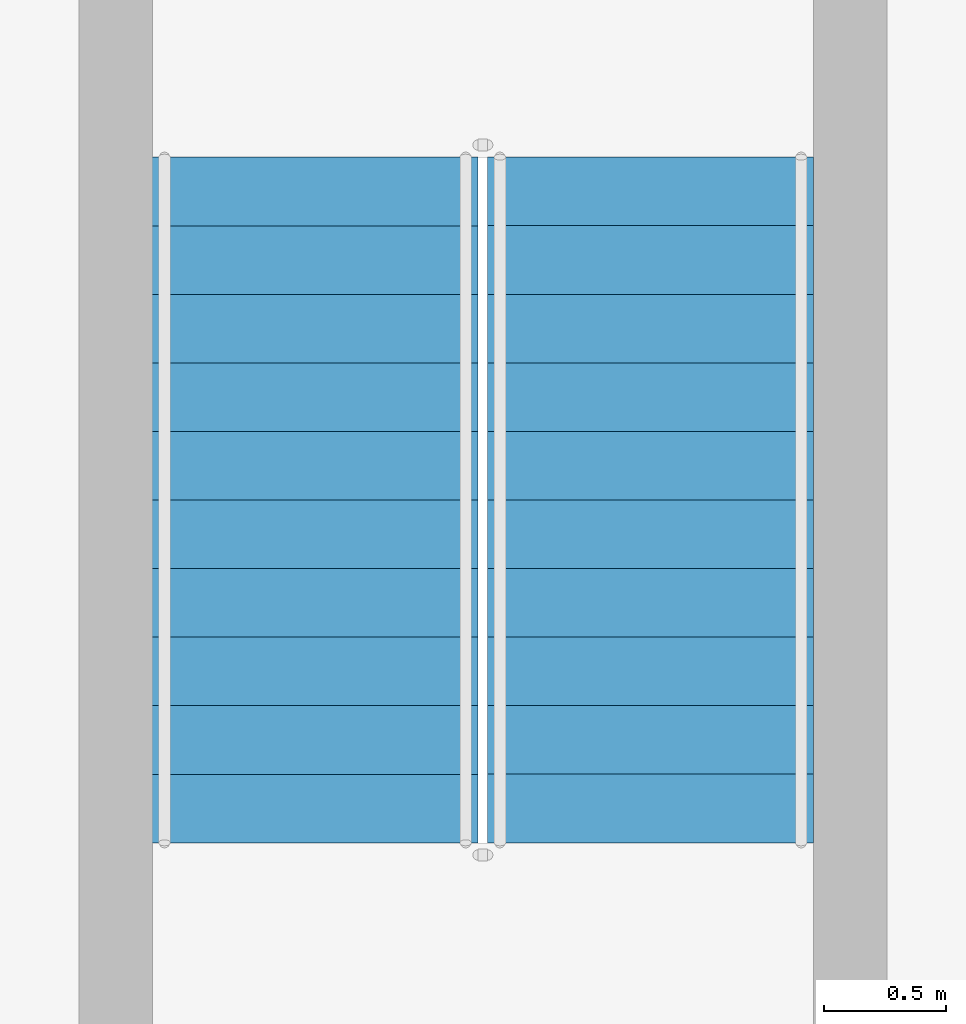
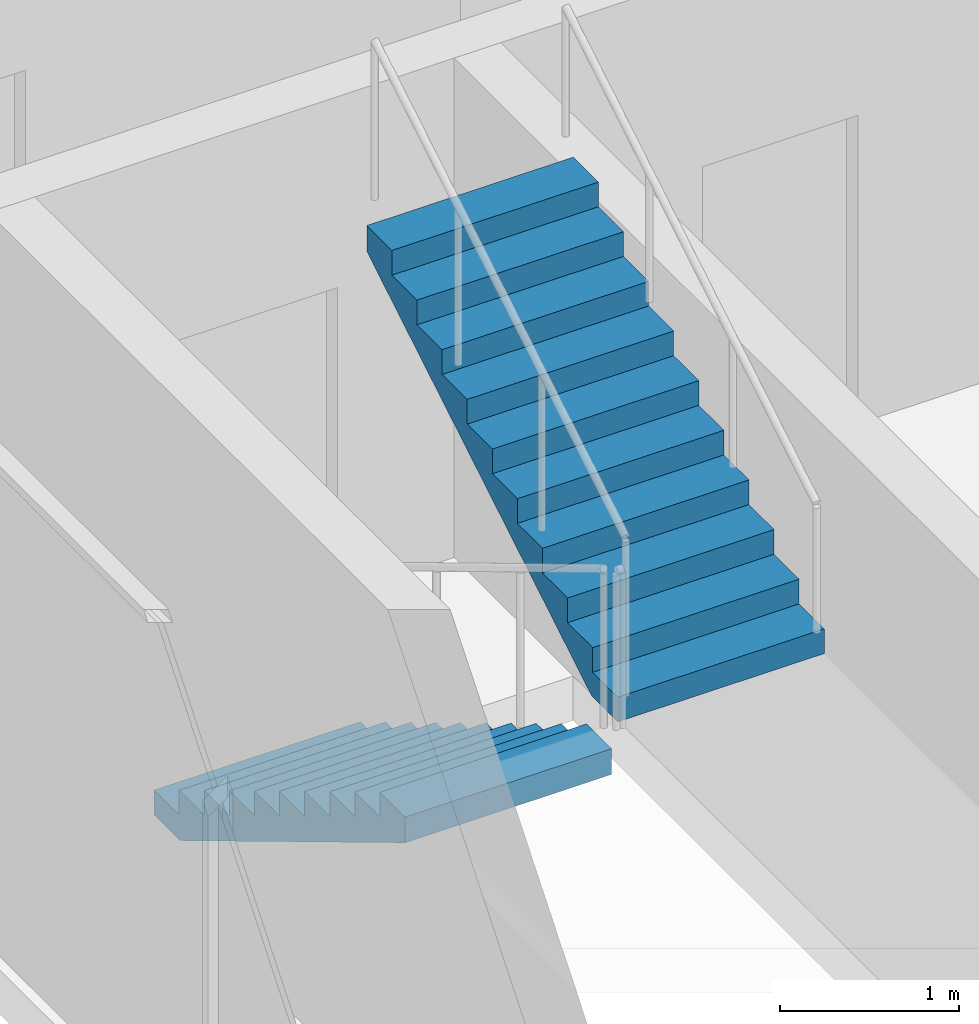
# One storey, part 15 of 21: 2 stair flights, 1 element without a shape of its own.
"""IFC4 building model written with IfcOpenShell, lengths in metres."""

from ifc_helpers import new_model, si_unit, direction, frame, origin, place, context, subcontext, project, spatial, triangles, source, transform, mapped, material, type_object, element, aggregate, save


model = new_model("IFC4")

# Units and contexts
model_context = context("Model", 3, precision=1e-05, world=origin(), true_north=direction((0.0, 1.0)))
body_context = subcontext(model_context, "Body", "Model", "MODEL_VIEW")
ifc_project = project(units=[si_unit("LENGTHUNIT", "METRE"), si_unit("AREAUNIT", "SQUARE_METRE"), si_unit("VOLUMEUNIT", "CUBIC_METRE"), si_unit("PLANEANGLEUNIT", "RADIAN"), si_unit("MASSUNIT", "GRAM", prefix="KILO")], contexts=[model_context])

# Site, building, storey
site_placement = place(None, origin())
site = spatial("IfcSite", under=ifc_project, at=site_placement, CompositionType="ELEMENT")
building_placement = place(site_placement, origin())
building = spatial("IfcBuilding", under=site, at=building_placement, Name="Ogive Portal Towers", CompositionType="ELEMENT")
storey_placement = place(building_placement, frame((0.0, 0.0, 157.0)))
storey = spatial("IfcBuildingStorey", under=building, at=storey_placement, Name="L38", CompositionType="ELEMENT", Elevation=157.0)

# Stair, stair flights
ifc_material = material(Name="Concrete C40/50", Category="concrete")
stair_type = type_object("IfcStairType", Name="INT-STAIR", PredefinedType="HALF_TURN_STAIR", material=ifc_material)
stair_placement = place(storey_placement, origin())
stair = element("IfcStair", 1, at=stair_placement, inside=storey, type_object=stair_type, Name="L38 Exit Stair ST-A4", PredefinedType="HALF_TURN_STAIR")
stair_flight_type = type_object("IfcStairFlightType", Name="INT-FLIGHT", PredefinedType="STRAIGHT", material=ifc_material)
shared_shape = source(origin(), body_context, "Body", "Tessellation", [
    triangles([(0.0, -0.6650390625, 0.0), (0.0, -0.384765625, 0.0), (0.0, -0.197021484375, 0.0), (0.0, -0.0830078125, 0.0), (0.0, -0.024658203125, 0.0), (0.0, -0.003173828125, 0.0), (0.0, 0.0, 0.0), (0.0, 0.003173828125, 0.0), (0.0, 0.024658203125, 0.0), (0.0, 0.0830078125, 0.0), (0.0, 0.197021484375, 0.0), (0.0, 0.384765625, 0.0), (0.0, 0.6650390625, 0.0), (0.0, -0.6650390625, 0.168212890625), (0.0, -0.384765625, 0.168212890625), (0.0, -0.197021484375, 0.168212890625), (0.0, -0.0830078125, 0.168212890625), (0.0, -0.024658203125, 0.168212890625), (0.0, -0.003173828125, 0.168212890625), (0.0, 0.0, 0.168212890625), (0.0, 0.003173828125, 0.168212890625), (0.0, 0.024658203125, 0.168212890625), (0.0, 0.0830078125, 0.168212890625), (0.0, 0.197021484375, 0.168212890625), (0.0, 0.384765625, 0.168212890625), (0.0, 0.6650390625, 0.168212890625), (0.280029296875, -0.6650390625, 0.168212890625), (0.280029296875, -0.384765625, 0.168212890625), (0.280029296875, -0.197021484375, 0.168212890625), (0.280029296875, -0.0830078125, 0.168212890625), (0.280029296875, -0.024658203125, 0.168212890625), (0.280029296875, -0.003173828125, 0.168212890625), (0.280029296875, 0.0, 0.168212890625), (0.280029296875, 0.003173828125, 0.168212890625), (0.280029296875, 0.024658203125, 0.168212890625), (0.280029296875, 0.0830078125, 0.168212890625), (0.280029296875, 0.197021484375, 0.168212890625), (0.280029296875, 0.384765625, 0.168212890625), (0.280029296875, 0.6650390625, 0.168212890625), (0.280029296875, -0.6650390625, 0.33642578125), (0.280029296875, -0.384765625, 0.33642578125), (0.280029296875, -0.197021484375, 0.33642578125), (0.280029296875, -0.0830078125, 0.33642578125), (0.280029296875, -0.024658203125, 0.33642578125), (0.280029296875, -0.003173828125, 0.33642578125), (0.280029296875, 0.0, 0.33642578125), (0.280029296875, 0.003173828125, 0.33642578125), (0.280029296875, 0.024658203125, 0.33642578125), (0.280029296875, 0.0830078125, 0.33642578125), (0.280029296875, 0.197021484375, 0.33642578125), (0.280029296875, 0.384765625, 0.33642578125), (0.280029296875, 0.6650390625, 0.33642578125), (0.56005859375, -0.6650390625, 0.33642578125), (0.56005859375, -0.384765625, 0.33642578125), (0.56005859375, -0.197021484375, 0.33642578125), (0.56005859375, -0.0830078125, 0.33642578125), (0.56005859375, -0.024658203125, 0.33642578125), (0.56005859375, -0.003173828125, 0.33642578125), (0.56005859375, 0.0, 0.33642578125), (0.56005859375, 0.003173828125, 0.33642578125), (0.56005859375, 0.024658203125, 0.33642578125), (0.56005859375, 0.0830078125, 0.33642578125), (0.56005859375, 0.197021484375, 0.33642578125), (0.56005859375, 0.384765625, 0.33642578125), (0.56005859375, 0.6650390625, 0.33642578125), (0.56005859375, -0.6650390625, 0.504638671875), (0.56005859375, -0.384765625, 0.504638671875), (0.56005859375, -0.197021484375, 0.504638671875), (0.56005859375, -0.0830078125, 0.504638671875), (0.56005859375, -0.024658203125, 0.504638671875), (0.56005859375, -0.003173828125, 0.504638671875), (0.56005859375, 0.0, 0.504638671875), (0.56005859375, 0.003173828125, 0.504638671875), (0.56005859375, 0.024658203125, 0.504638671875), (0.56005859375, 0.0830078125, 0.504638671875), (0.56005859375, 0.197021484375, 0.504638671875), (0.56005859375, 0.384765625, 0.504638671875), (0.56005859375, 0.6650390625, 0.504638671875), (0.840087890625, -0.6650390625, 0.504638671875), (0.840087890625, -0.384765625, 0.504638671875), (0.840087890625, -0.197021484375, 0.504638671875), (0.840087890625, -0.0830078125, 0.504638671875), (0.840087890625, -0.024658203125, 0.504638671875), (0.840087890625, -0.003173828125, 0.504638671875), (0.840087890625, 0.0, 0.504638671875), (0.840087890625, 0.003173828125, 0.504638671875), (0.840087890625, 0.024658203125, 0.504638671875), (0.840087890625, 0.0830078125, 0.504638671875), (0.840087890625, 0.197021484375, 0.504638671875), (0.840087890625, 0.384765625, 0.504638671875), (0.840087890625, 0.6650390625, 0.504638671875), (0.840087890625, -0.6650390625, 0.672607421875), (0.840087890625, -0.384765625, 0.672607421875), (0.840087890625, -0.197021484375, 0.672607421875), (0.840087890625, -0.0830078125, 0.672607421875), (0.840087890625, -0.024658203125, 0.672607421875), (0.840087890625, -0.003173828125, 0.672607421875), (0.840087890625, 0.0, 0.672607421875), (0.840087890625, 0.003173828125, 0.672607421875), (0.840087890625, 0.024658203125, 0.672607421875), (0.840087890625, 0.0830078125, 0.672607421875), (0.840087890625, 0.197021484375, 0.672607421875), (0.840087890625, 0.384765625, 0.672607421875), (0.840087890625, 0.6650390625, 0.672607421875), (1.1201171875, -0.6650390625, 0.672607421875), (1.1201171875, -0.384765625, 0.672607421875), (1.1201171875, -0.197021484375, 0.672607421875), (1.1201171875, -0.0830078125, 0.672607421875), (1.1201171875, -0.024658203125, 0.672607421875), (1.1201171875, -0.003173828125, 0.672607421875), (1.1201171875, 0.0, 0.672607421875), (1.1201171875, 0.003173828125, 0.672607421875), (1.1201171875, 0.024658203125, 0.672607421875), (1.1201171875, 0.0830078125, 0.672607421875), (1.1201171875, 0.197021484375, 0.672607421875), (1.1201171875, 0.384765625, 0.672607421875), (1.1201171875, 0.6650390625, 0.672607421875), (1.1201171875, -0.6650390625, 0.8408203125), (1.1201171875, -0.384765625, 0.8408203125), (1.1201171875, -0.197021484375, 0.8408203125), (1.1201171875, -0.0830078125, 0.8408203125), (1.1201171875, -0.024658203125, 0.8408203125), (1.1201171875, -0.003173828125, 0.8408203125), (1.1201171875, 0.0, 0.8408203125), (1.1201171875, 0.003173828125, 0.8408203125), (1.1201171875, 0.024658203125, 0.8408203125), (1.1201171875, 0.0830078125, 0.8408203125), (1.1201171875, 0.197021484375, 0.8408203125), (1.1201171875, 0.384765625, 0.8408203125), (1.1201171875, 0.6650390625, 0.8408203125), (1.39990234375, -0.6650390625, 0.8408203125), (1.39990234375, -0.384765625, 0.8408203125), (1.39990234375, -0.197021484375, 0.8408203125), (1.39990234375, -0.0830078125, 0.8408203125), (1.39990234375, -0.024658203125, 0.8408203125), (1.39990234375, -0.003173828125, 0.8408203125), (1.39990234375, 0.0, 0.8408203125), (1.39990234375, 0.003173828125, 0.8408203125), (1.39990234375, 0.024658203125, 0.8408203125), (1.39990234375, 0.0830078125, 0.8408203125), (1.39990234375, 0.197021484375, 0.8408203125), (1.39990234375, 0.384765625, 0.8408203125), (1.39990234375, 0.6650390625, 0.8408203125), (1.39990234375, -0.6650390625, 1.009033203125), (1.39990234375, -0.384765625, 1.009033203125), (1.39990234375, -0.197021484375, 1.009033203125), (1.39990234375, -0.0830078125, 1.009033203125), (1.39990234375, -0.024658203125, 1.009033203125), (1.39990234375, -0.003173828125, 1.009033203125), (1.39990234375, 0.0, 1.009033203125), (1.39990234375, 0.003173828125, 1.009033203125), (1.39990234375, 0.024658203125, 1.009033203125), (1.39990234375, 0.0830078125, 1.009033203125), (1.39990234375, 0.197021484375, 1.009033203125), (1.39990234375, 0.384765625, 1.009033203125), (1.39990234375, 0.6650390625, 1.009033203125), (1.679931640625, -0.6650390625, 1.009033203125), (1.679931640625, -0.384765625, 1.009033203125), (1.679931640625, -0.197021484375, 1.009033203125), (1.679931640625, -0.0830078125, 1.009033203125), (1.679931640625, -0.024658203125, 1.009033203125), (1.679931640625, -0.003173828125, 1.009033203125), (1.679931640625, 0.0, 1.009033203125), (1.679931640625, 0.003173828125, 1.009033203125), (1.679931640625, 0.024658203125, 1.009033203125), (1.679931640625, 0.0830078125, 1.009033203125), (1.679931640625, 0.197021484375, 1.009033203125), (1.679931640625, 0.384765625, 1.009033203125), (1.679931640625, 0.6650390625, 1.009033203125), (1.679931640625, -0.6650390625, 1.17724609375), (1.679931640625, -0.384765625, 1.17724609375), (1.679931640625, -0.197021484375, 1.17724609375), (1.679931640625, -0.0830078125, 1.17724609375), (1.679931640625, -0.024658203125, 1.17724609375), (1.679931640625, -0.003173828125, 1.17724609375), (1.679931640625, 0.0, 1.17724609375), (1.679931640625, 0.003173828125, 1.17724609375), (1.679931640625, 0.024658203125, 1.17724609375), (1.679931640625, 0.0830078125, 1.17724609375), (1.679931640625, 0.197021484375, 1.17724609375), (1.679931640625, 0.384765625, 1.17724609375), (1.679931640625, 0.6650390625, 1.17724609375), (1.9599609375, -0.6650390625, 1.17724609375), (1.9599609375, -0.384765625, 1.17724609375), (1.9599609375, -0.197021484375, 1.17724609375), (1.9599609375, -0.0830078125, 1.17724609375), (1.9599609375, -0.024658203125, 1.17724609375), (1.9599609375, -0.003173828125, 1.17724609375), (1.9599609375, 0.0, 1.17724609375), (1.9599609375, 0.003173828125, 1.17724609375), (1.9599609375, 0.024658203125, 1.17724609375), (1.9599609375, 0.0830078125, 1.17724609375), (1.9599609375, 0.197021484375, 1.17724609375), (1.9599609375, 0.384765625, 1.17724609375), (1.9599609375, 0.6650390625, 1.17724609375), (1.9599609375, -0.6650390625, 1.345458984375), (1.9599609375, -0.384765625, 1.345458984375), (1.9599609375, -0.197021484375, 1.345458984375), (1.9599609375, -0.0830078125, 1.345458984375), (1.9599609375, -0.024658203125, 1.345458984375), (1.9599609375, -0.003173828125, 1.345458984375), (1.9599609375, 0.0, 1.345458984375), (1.9599609375, 0.003173828125, 1.345458984375), (1.9599609375, 0.024658203125, 1.345458984375), (1.9599609375, 0.0830078125, 1.345458984375), (1.9599609375, 0.197021484375, 1.345458984375), (1.9599609375, 0.384765625, 1.345458984375), (1.9599609375, 0.6650390625, 1.345458984375), (2.239990234375, -0.6650390625, 1.345458984375), (2.239990234375, -0.384765625, 1.345458984375), (2.239990234375, -0.197021484375, 1.345458984375), (2.239990234375, -0.0830078125, 1.345458984375), (2.239990234375, -0.024658203125, 1.345458984375), (2.239990234375, -0.003173828125, 1.345458984375), (2.239990234375, 0.0, 1.345458984375), (2.239990234375, 0.003173828125, 1.345458984375), (2.239990234375, 0.024658203125, 1.345458984375), (2.239990234375, 0.0830078125, 1.345458984375), (2.239990234375, 0.197021484375, 1.345458984375), (2.239990234375, 0.384765625, 1.345458984375), (2.239990234375, 0.6650390625, 1.345458984375), (2.239990234375, -0.6650390625, 1.513671875), (2.239990234375, -0.384765625, 1.513671875), (2.239990234375, -0.197021484375, 1.513671875), (2.239990234375, -0.0830078125, 1.513671875), (2.239990234375, -0.024658203125, 1.513671875), (2.239990234375, -0.003173828125, 1.513671875), (2.239990234375, 0.0, 1.513671875), (2.239990234375, 0.003173828125, 1.513671875), (2.239990234375, 0.024658203125, 1.513671875), (2.239990234375, 0.0830078125, 1.513671875), (2.239990234375, 0.197021484375, 1.513671875), (2.239990234375, 0.384765625, 1.513671875), (2.239990234375, 0.6650390625, 1.513671875), (2.52001953125, -0.6650390625, 1.513671875), (2.52001953125, -0.384765625, 1.513671875), (2.52001953125, -0.197021484375, 1.513671875), (2.52001953125, -0.0830078125, 1.513671875), (2.52001953125, -0.024658203125, 1.513671875), (2.52001953125, -0.003173828125, 1.513671875), (2.52001953125, 0.0, 1.513671875), (2.52001953125, 0.003173828125, 1.513671875), (2.52001953125, 0.024658203125, 1.513671875), (2.52001953125, 0.0830078125, 1.513671875), (2.52001953125, 0.197021484375, 1.513671875), (2.52001953125, 0.384765625, 1.513671875), (2.52001953125, 0.6650390625, 1.513671875), (2.52001953125, -0.6650390625, 1.681884765625), (2.52001953125, -0.384765625, 1.681884765625), (2.52001953125, -0.197021484375, 1.681884765625), (2.52001953125, -0.0830078125, 1.681884765625), (2.52001953125, -0.024658203125, 1.681884765625), (2.52001953125, -0.003173828125, 1.681884765625), (2.52001953125, 0.0, 1.681884765625), (2.52001953125, 0.003173828125, 1.681884765625), (2.52001953125, 0.024658203125, 1.681884765625), (2.52001953125, 0.0830078125, 1.681884765625), (2.52001953125, 0.197021484375, 1.681884765625), (2.52001953125, 0.384765625, 1.681884765625), (2.52001953125, 0.6650390625, 1.681884765625), (2.800048828125, -0.6650390625, 1.681884765625), (2.800048828125, -0.384765625, 1.681884765625), (2.800048828125, -0.197021484375, 1.681884765625), (2.800048828125, -0.0830078125, 1.681884765625), (2.800048828125, -0.024658203125, 1.681884765625), (2.800048828125, -0.003173828125, 1.681884765625), (2.800048828125, 0.0, 1.681884765625), (2.800048828125, 0.003173828125, 1.681884765625), (2.800048828125, 0.024658203125, 1.681884765625), (2.800048828125, 0.0830078125, 1.681884765625), (2.800048828125, 0.197021484375, 1.681884765625), (2.800048828125, 0.384765625, 1.681884765625), (2.800048828125, 0.6650390625, 1.681884765625), (2.800048828125, -0.6650390625, 1.5068359375), (2.800048828125, -0.384765625, 1.5068359375), (2.800048828125, -0.197021484375, 1.5068359375), (2.800048828125, -0.0830078125, 1.5068359375), (2.800048828125, -0.024658203125, 1.5068359375), (2.800048828125, -0.003173828125, 1.5068359375), (2.800048828125, 0.0, 1.5068359375), (2.800048828125, 0.003173828125, 1.5068359375), (2.800048828125, 0.024658203125, 1.5068359375), (2.800048828125, 0.0830078125, 1.5068359375), (2.800048828125, 0.197021484375, 1.5068359375), (2.800048828125, 0.384765625, 1.5068359375), (2.800048828125, 0.6650390625, 1.5068359375), (0.291015625, -0.6650390625, 0.0), (0.291015625, -0.384765625, 0.0), (0.291015625, -0.197021484375, 0.0), (0.291015625, -0.0830078125, 0.0), (0.291015625, -0.024658203125, 0.0), (0.291015625, -0.003173828125, 0.0), (0.291015625, 0.0, 0.0), (0.291015625, 0.003173828125, 0.0), (0.291015625, 0.024658203125, 0.0), (0.291015625, 0.0830078125, 0.0), (0.291015625, 0.197021484375, 0.0), (0.291015625, 0.384765625, 0.0), (0.291015625, 0.6650390625, 0.0)], [[1, 14, 15], [1, 15, 2], [2, 15, 16], [2, 16, 3], [3, 16, 17], [3, 17, 4], [4, 17, 18], [4, 18, 5], [5, 18, 19], [5, 19, 6], [6, 19, 20], [6, 20, 7], [7, 20, 21], [7, 21, 8], [8, 21, 22], [8, 22, 9], [9, 22, 23], [9, 23, 10], [10, 23, 24], [10, 24, 11], [11, 24, 25], [11, 25, 12], [12, 25, 26], [12, 26, 13], [14, 27, 28], [14, 28, 15], [15, 28, 29], [15, 29, 16], [16, 29, 30], [16, 30, 17], [17, 30, 31], [17, 31, 18], [18, 31, 32], [18, 32, 19], [19, 32, 33], [19, 33, 20], [20, 33, 34], [20, 34, 21], [21, 34, 35], [21, 35, 22], [22, 35, 36], [22, 36, 23], [23, 36, 37], [23, 37, 24], [24, 37, 38], [24, 38, 25], [25, 38, 39], [25, 39, 26], [27, 40, 41], [27, 41, 28], [28, 41, 42], [28, 42, 29], [29, 42, 43], [29, 43, 30], [30, 43, 44], [30, 44, 31], [31, 44, 45], [31, 45, 32], [32, 45, 46], [32, 46, 33], [33, 46, 47], [33, 47, 34], [34, 47, 48], [34, 48, 35], [35, 48, 49], [35, 49, 36], [36, 49, 50], [36, 50, 37], [37, 50, 51], [37, 51, 38], [38, 51, 52], [38, 52, 39], [40, 53, 54], [40, 54, 41], [41, 54, 55], [41, 55, 42], [42, 55, 56], [42, 56, 43], [43, 56, 57], [43, 57, 44], [44, 57, 58], [44, 58, 45], [45, 58, 59], [45, 59, 46], [46, 59, 60], [46, 60, 47], [47, 60, 61], [47, 61, 48], [48, 61, 62], [48, 62, 49], [49, 62, 63], [49, 63, 50], [50, 63, 64], [50, 64, 51], [51, 64, 65], [51, 65, 52], [53, 66, 67], [53, 67, 54], [54, 67, 68], [54, 68, 55], [55, 68, 69], [55, 69, 56], [56, 69, 70], [56, 70, 57], [57, 70, 71], [57, 71, 58], [58, 71, 72], [58, 72, 59], [59, 72, 73], [59, 73, 60], [60, 73, 74], [60, 74, 61], [61, 74, 75], [61, 75, 62], [62, 75, 76], [62, 76, 63], [63, 76, 77], [63, 77, 64], [64, 77, 78], [64, 78, 65], [66, 79, 80], [66, 80, 67], [67, 80, 81], [67, 81, 68], [68, 81, 82], [68, 82, 69], [69, 82, 83], [69, 83, 70], [70, 83, 84], [70, 84, 71], [71, 84, 85], [71, 85, 72], [72, 85, 86], [72, 86, 73], [73, 86, 87], [73, 87, 74], [74, 87, 88], [74, 88, 75], [75, 88, 89], [75, 89, 76], [76, 89, 90], [76, 90, 77], [77, 90, 91], [77, 91, 78], [79, 92, 93], [79, 93, 80], [80, 93, 94], [80, 94, 81], [81, 94, 95], [81, 95, 82], [82, 95, 96], [82, 96, 83], [83, 96, 97], [83, 97, 84], [84, 97, 98], [84, 98, 85], [85, 98, 99], [85, 99, 86], [86, 99, 100], [86, 100, 87], [87, 100, 101], [87, 101, 88], [88, 101, 102], [88, 102, 89], [89, 102, 103], [89, 103, 90], [90, 103, 104], [90, 104, 91], [92, 105, 106], [92, 106, 93], [93, 106, 107], [93, 107, 94], [94, 107, 108], [94, 108, 95], [95, 108, 109], [95, 109, 96], [96, 109, 110], [96, 110, 97], [97, 110, 111], [97, 111, 98], [98, 111, 112], [98, 112, 99], [99, 112, 113], [99, 113, 100], [100, 113, 114], [100, 114, 101], [101, 114, 115], [101, 115, 102], [102, 115, 116], [102, 116, 103], [103, 116, 117], [103, 117, 104], [105, 118, 119], [105, 119, 106], [106, 119, 120], [106, 120, 107], [107, 120, 121], [107, 121, 108], [108, 121, 122], [108, 122, 109], [109, 122, 123], [109, 123, 110], [110, 123, 124], [110, 124, 111], [111, 124, 125], [111, 125, 112], [112, 125, 126], [112, 126, 113], [113, 126, 127], [113, 127, 114], [114, 127, 128], [114, 128, 115], [115, 128, 129], [115, 129, 116], [116, 129, 130], [116, 130, 117], [118, 131, 132], [118, 132, 119], [119, 132, 133], [119, 133, 120], [120, 133, 134], [120, 134, 121], [121, 134, 135], [121, 135, 122], [122, 135, 136], [122, 136, 123], [123, 136, 137], [123, 137, 124], [124, 137, 138], [124, 138, 125], [125, 138, 139], [125, 139, 126], [126, 139, 140], [126, 140, 127], [127, 140, 141], [127, 141, 128], [128, 141, 142], [128, 142, 129], [129, 142, 143], [129, 143, 130], [131, 144, 145], [131, 145, 132], [132, 145, 146], [132, 146, 133], [133, 146, 147], [133, 147, 134], [134, 147, 148], [134, 148, 135], [135, 148, 149], [135, 149, 136], [136, 149, 150], [136, 150, 137], [137, 150, 151], [137, 151, 138], [138, 151, 152], [138, 152, 139], [139, 152, 153], [139, 153, 140], [140, 153, 154], [140, 154, 141], [141, 154, 155], [141, 155, 142], [142, 155, 156], [142, 156, 143], [144, 157, 158], [144, 158, 145], [145, 158, 159], [145, 159, 146], [146, 159, 160], [146, 160, 147], [147, 160, 161], [147, 161, 148], [148, 161, 162], [148, 162, 149], [149, 162, 163], [149, 163, 150], [150, 163, 164], [150, 164, 151], [151, 164, 165], [151, 165, 152], [152, 165, 166], [152, 166, 153], [153, 166, 167], [153, 167, 154], [154, 167, 168], [154, 168, 155], [155, 168, 169], [155, 169, 156], [157, 170, 171], [157, 171, 158], [158, 171, 172], [158, 172, 159], [159, 172, 173], [159, 173, 160], [160, 173, 174], [160, 174, 161], [161, 174, 175], [161, 175, 162], [162, 175, 176], [162, 176, 163], [163, 176, 177], [163, 177, 164], [164, 177, 178], [164, 178, 165], [165, 178, 179], [165, 179, 166], [166, 179, 180], [166, 180, 167], [167, 180, 181], [167, 181, 168], [168, 181, 182], [168, 182, 169], [170, 183, 184], [170, 184, 171], [171, 184, 185], [171, 185, 172], [172, 185, 186], [172, 186, 173], [173, 186, 187], [173, 187, 174], [174, 187, 188], [174, 188, 175], [175, 188, 189], [175, 189, 176], [176, 189, 190], [176, 190, 177], [177, 190, 191], [177, 191, 178], [178, 191, 192], [178, 192, 179], [179, 192, 193], [179, 193, 180], [180, 193, 194], [180, 194, 181], [181, 194, 195], [181, 195, 182], [183, 196, 197], [183, 197, 184], [184, 197, 198], [184, 198, 185], [185, 198, 199], [185, 199, 186], [186, 199, 200], [186, 200, 187], [187, 200, 201], [187, 201, 188], [188, 201, 202], [188, 202, 189], [189, 202, 203], [189, 203, 190], [190, 203, 204], [190, 204, 191], [191, 204, 205], [191, 205, 192], [192, 205, 206], [192, 206, 193], [193, 206, 207], [193, 207, 194], [194, 207, 208], [194, 208, 195], [196, 209, 210], [196, 210, 197], [197, 210, 211], [197, 211, 198], [198, 211, 212], [198, 212, 199], [199, 212, 213], [199, 213, 200], [200, 213, 214], [200, 214, 201], [201, 214, 215], [201, 215, 202], [202, 215, 216], [202, 216, 203], [203, 216, 217], [203, 217, 204], [204, 217, 218], [204, 218, 205], [205, 218, 219], [205, 219, 206], [206, 219, 220], [206, 220, 207], [207, 220, 221], [207, 221, 208], [209, 222, 223], [209, 223, 210], [210, 223, 224], [210, 224, 211], [211, 224, 225], [211, 225, 212], [212, 225, 226], [212, 226, 213], [213, 226, 227], [213, 227, 214], [214, 227, 228], [214, 228, 215], [215, 228, 229], [215, 229, 216], [216, 229, 230], [216, 230, 217], [217, 230, 231], [217, 231, 218], [218, 231, 232], [218, 232, 219], [219, 232, 233], [219, 233, 220], [220, 233, 234], [220, 234, 221], [222, 235, 236], [222, 236, 223], [223, 236, 237], [223, 237, 224], [224, 237, 238], [224, 238, 225], [225, 238, 239], [225, 239, 226], [226, 239, 240], [226, 240, 227], [227, 240, 241], [227, 241, 228], [228, 241, 242], [228, 242, 229], [229, 242, 243], [229, 243, 230], [230, 243, 244], [230, 244, 231], [231, 244, 245], [231, 245, 232], [232, 245, 246], [232, 246, 233], [233, 246, 247], [233, 247, 234], [235, 248, 249], [235, 249, 236], [236, 249, 250], [236, 250, 237], [237, 250, 251], [237, 251, 238], [238, 251, 252], [238, 252, 239], [239, 252, 253], [239, 253, 240], [240, 253, 254], [240, 254, 241], [241, 254, 255], [241, 255, 242], [242, 255, 256], [242, 256, 243], [243, 256, 257], [243, 257, 244], [244, 257, 258], [244, 258, 245], [245, 258, 259], [245, 259, 246], [246, 259, 260], [246, 260, 247], [248, 261, 262], [248, 262, 249], [249, 262, 263], [249, 263, 250], [250, 263, 264], [250, 264, 251], [251, 264, 265], [251, 265, 252], [252, 265, 266], [252, 266, 253], [253, 266, 267], [253, 267, 254], [254, 267, 268], [254, 268, 255], [255, 268, 269], [255, 269, 256], [256, 269, 270], [256, 270, 257], [257, 270, 271], [257, 271, 258], [258, 271, 272], [258, 272, 259], [259, 272, 273], [259, 273, 260], [261, 274, 275], [261, 275, 262], [262, 275, 276], [262, 276, 263], [263, 276, 277], [263, 277, 264], [264, 277, 278], [264, 278, 265], [265, 278, 279], [265, 279, 266], [266, 279, 280], [266, 280, 267], [267, 280, 281], [267, 281, 268], [268, 281, 282], [268, 282, 269], [269, 282, 283], [269, 283, 270], [270, 283, 284], [270, 284, 271], [271, 284, 285], [271, 285, 272], [272, 285, 286], [272, 286, 273], [274, 287, 288], [274, 288, 275], [275, 288, 289], [275, 289, 276], [276, 289, 290], [276, 290, 277], [277, 290, 291], [277, 291, 278], [278, 291, 292], [278, 292, 279], [279, 292, 293], [279, 293, 280], [280, 293, 294], [280, 294, 281], [281, 294, 295], [281, 295, 282], [282, 295, 296], [282, 296, 283], [283, 296, 297], [283, 297, 284], [284, 297, 298], [284, 298, 285], [285, 298, 299], [285, 299, 286], [287, 1, 2], [287, 2, 288], [288, 2, 3], [288, 3, 289], [289, 3, 4], [289, 4, 290], [290, 4, 5], [290, 5, 291], [291, 5, 6], [291, 6, 292], [292, 6, 7], [292, 7, 293], [293, 7, 8], [293, 8, 294], [294, 8, 9], [294, 9, 295], [295, 9, 10], [295, 10, 296], [296, 10, 11], [296, 11, 297], [297, 11, 12], [297, 12, 298], [298, 12, 13], [298, 13, 299], [1, 287, 274], [13, 286, 299], [274, 261, 248], [286, 260, 273], [274, 248, 235], [286, 247, 260], [274, 235, 222], [286, 234, 247], [274, 222, 209], [286, 221, 234], [209, 196, 183], [221, 195, 208], [274, 209, 183], [286, 195, 221], [183, 170, 157], [195, 169, 182], [274, 183, 157], [286, 169, 195], [157, 144, 131], [169, 143, 156], [274, 157, 131], [286, 143, 169], [131, 118, 105], [143, 117, 130], [274, 131, 105], [286, 117, 143], [1, 274, 105], [13, 117, 286], [105, 92, 79], [117, 91, 104], [79, 66, 53], [91, 65, 78], [105, 79, 53], [117, 65, 91], [53, 40, 27], [65, 39, 52], [105, 53, 27], [117, 39, 65], [1, 105, 27], [13, 39, 117], [27, 14, 1], [39, 13, 26]], closed=True),
])
stair_flight_1_placement = place(storey_placement, frame((87.6650390625, 29.169921875, 0.0), z_axis=(0.0, 0.0, 1.0), x_axis=(0.0, -1.0, 0.0)))
stair_flight_1 = element("IfcStairFlight", 2, at=stair_flight_1_placement, type_object=stair_flight_type, Name="ST-A4 flight 1", NumberOfRisers=11, NumberOfTreads=10, PredefinedType="STRAIGHT", RiserHeight=0.168181818, TreadLength=0.28, context=body_context, shape_type="MappedRepresentation", body=[
    mapped(shared_shape, transform((0.0, 0.0, 0.0), scale=1.0)),
])
stair_flight_2_placement = place(storey_placement, frame((89.034912109375, 26.3701171875, 1.85009765625), z_axis=(0.0, 0.0, 1.0), x_axis=(0.0, 1.0, 0.0)))
stair_flight_2 = element("IfcStairFlight", 3, at=stair_flight_2_placement, type_object=stair_flight_type, Name="ST-A4 flight 2", NumberOfRisers=11, NumberOfTreads=10, PredefinedType="STRAIGHT", RiserHeight=0.168181818, TreadLength=0.28, context=body_context, shape_type="MappedRepresentation", body=[
    mapped(shared_shape, transform((0.0, 0.0, 0.0), scale=1.0)),
])
aggregate(stair, [stair_flight_1, stair_flight_2])

save(model, "model.ifc")
